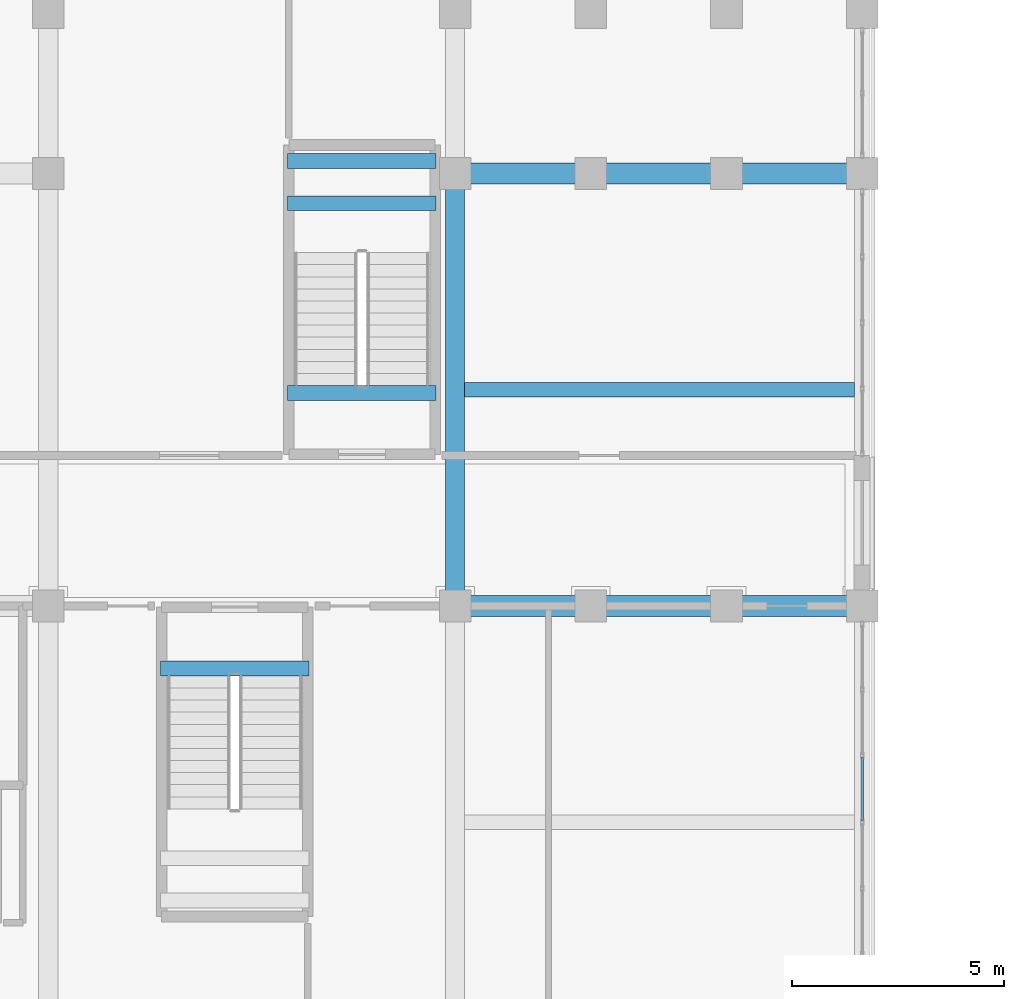
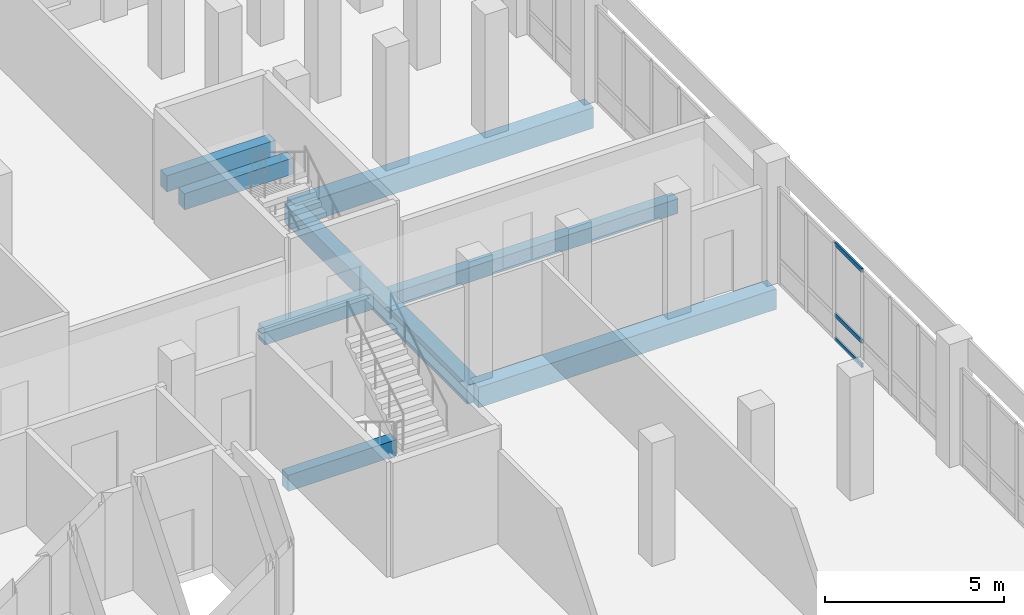
# One storey, part 23 of 170: 8 beams, 3 members, 1 element without a shape of its own.
"""IFC4 building model written with IfcOpenShell, lengths in metres."""

from ifc_helpers import new_model, si_unit, direction, frame, origin, origin_2d, place, context, subcontext, project, spatial, rectangle, hollow_rectangle, extrude, material, material_profile, profile_set, type_object, element, aggregate, save


model = new_model("IFC4")

# Units and contexts
model_context = context("Model", 3, precision=1e-05, world=origin(), true_north=direction((0.0, 1.0)))
body_context = subcontext(model_context, "Body", "Model", "MODEL_VIEW")
ifc_project = project(units=[si_unit("LENGTHUNIT", "METRE"), si_unit("AREAUNIT", "SQUARE_METRE"), si_unit("VOLUMEUNIT", "CUBIC_METRE"), si_unit("PLANEANGLEUNIT", "RADIAN"), si_unit("MASSUNIT", "GRAM", prefix="KILO")], contexts=[model_context])

# Site, building, storey
site_placement = place(None, origin())
site = spatial("IfcSite", under=ifc_project, at=site_placement, CompositionType="ELEMENT")
building_placement = place(site_placement, origin())
building = spatial("IfcBuilding", under=site, at=building_placement, Name="Vondelvale Polytechnic", CompositionType="ELEMENT")
storey_placement = place(building_placement, frame((0.0, 0.0, 5.39990234375)))
storey = spatial("IfcBuildingStorey", under=building, at=storey_placement, Name="L01", CompositionType="ELEMENT", Elevation=5.39990234375)

# Beams
ifc_material_1 = material(Name="Concrete N40 (f'c = 40 MPa)", Category="concrete")
ifc_material_profile_1 = material_profile(ifc_material_1, rectangle(XDim=0.35009765625, YDim=0.550048828125, at=origin_2d()), Name="RC-BM-350x550")
ifc_profile_set_1 = profile_set([ifc_material_profile_1], Name="Concrete N40 (f'c = 40 MPa)")
beam_type_1 = type_object("IfcBeamType", Name="BM-RC350x550", PredefinedType="BEAM", material=ifc_profile_set_1)
for number, where, z_axis, x_axis, name in (
    (1, (31.449951171875, 18.925048828125, -0.27490234375), (1.0, 0.0, 0.0), (0.0, 1.0, 0.0), "L01 STHD B-06"),
    (2, (37.949951171875, 29.89990234375, 1.625), (-1.0, 0.0, 0.0), (0.0, -1.0, 0.0), "L01 STLD B-06"),
    (3, (37.949951171875, 30.89990234375, 1.625), (-1.0, 0.0, 0.0), (0.0, -1.0, 0.0), "L01 STLD B-06"),
    (4, (37.949951171875, 25.425048828125, -0.27490234375), (-1.0, 0.0, 0.0), (0.0, -1.0, 0.0), "L01 STHD B-06"),
):
    element("IfcBeam", number, at=place(storey_placement, frame(where, z_axis=z_axis, x_axis=x_axis)), inside=storey, type_object=beam_type_1, Name=name, PredefinedType="BEAM", context=body_context, shape_type="SweptSolid", body=[
        extrude(rectangle(XDim=0.35009765625, YDim=0.550048828125, at=origin_2d()), origin(), (0.0, 0.0, 1.0), 3.5),
    ])
ifc_material_profile_2 = material_profile(ifc_material_1, rectangle(XDim=0.449951171875, YDim=0.64990234375, at=origin_2d()), Name="RC-BM-450x650")
ifc_profile_set_2 = profile_set([ifc_material_profile_2], Name="Concrete N40 (f'c = 40 MPa)")
beam_type_2 = type_object("IfcBeamType", Name="BM-RC450x650", PredefinedType="BEAM", material=ifc_profile_set_2)
beam_1_placement = place(storey_placement, frame((38.39990234375, 20.39990234375, -0.60498046875), z_axis=(0.0, 1.0, 0.0), x_axis=(-1.0, 0.0, 0.0)))
element("IfcBeam", 5, at=beam_1_placement, inside=storey, type_object=beam_type_2, Name="L01 B B-04", PredefinedType="BEAM", context=body_context, shape_type="SweptSolid", body=[
    extrude(rectangle(XDim=0.449951171875, YDim=0.64990234375, at=origin_2d()), origin(), (0.0, 0.0, 1.0), 10.2001953125),
])
ifc_material_profile_3 = material_profile(ifc_material_1, rectangle(XDim=0.5, YDim=0.699951171875, at=origin_2d()), Name="RC-BM-500x700")
ifc_profile_set_3 = profile_set([ifc_material_profile_3], Name="Concrete N40 (f'c = 40 MPa)")
beam_type_3 = type_object("IfcBeamType", Name="BM-RC500x700", PredefinedType="BEAM", material=ifc_profile_set_3)
for number, where, z_axis, x_axis, name in (
    (6, (38.39990234375, 20.39990234375, -0.6298828125), (1.0, 0.0, 0.0), (0.0, 1.0, 0.0), "L01 B B-03"),
    (7, (38.39990234375, 30.60009765625, -0.6298828125), (1.0, 0.0, 0.0), (0.0, 1.0, 0.0), "L01 B B-03"),
):
    element("IfcBeam", number, at=place(storey_placement, frame(where, z_axis=z_axis, x_axis=x_axis)), inside=storey, type_object=beam_type_3, Name=name, PredefinedType="BEAM", context=body_context, shape_type="SweptSolid", body=[
        extrude(rectangle(XDim=0.5, YDim=0.699951171875, at=origin_2d()), origin(), (0.0, 0.0, 1.0), 9.60009765625),
    ])

# Curtain wall, members
ifc_material_2 = material(Name="Anodised extruded aluminium 6063-T6", Category="aluminium")
curtain_wall_type = type_object("IfcCurtainWallType", Name="CW-STUDIO-NORTH", PredefinedType="NOTDEFINED", material=ifc_material_2)
curtain_wall_placement = place(storey_placement, origin())
curtain_wall = element("IfcCurtainWall", 8, at=curtain_wall_placement, inside=storey, type_object=curtain_wall_type, Name="L01 architectural curtain wall CW-01-008", PredefinedType="NOTDEFINED")
ifc_material_profile_4 = material_profile(ifc_material_2, hollow_rectangle(XDim=0.06005859375, YDim=0.139892578125, WallThickness=0.00341796875, at=origin_2d()), Name="CW-TRN-140x60")
ifc_profile_set_4 = profile_set([ifc_material_profile_4], Name="Anodised extruded aluminium 6063-T6")
member_type = type_object("IfcMemberType", Name="CW-TRN-60x140", PredefinedType="USERDEFINED", material=ifc_profile_set_4)
member_1_placement = place(storey_placement, frame((48.0, 15.33251953125, 0.030029296875), z_axis=(0.0, 1.0, 0.0), x_axis=(-1.0, 0.0, 0.0)))
member_1 = element("IfcMember", 9, at=member_1_placement, type_object=member_type, Name="CW-01-008 transom 4.1", ObjectType="TRANSOM", PredefinedType="USERDEFINED", context=body_context, shape_type="SweptSolid", body=[
    extrude(hollow_rectangle(XDim=0.06005859375, YDim=0.139892578125, WallThickness=0.00341796875, at=origin_2d()), origin(), (0.0, 0.0, 1.0), 1.5),
])
member_2_placement = place(storey_placement, frame((48.0, 15.33251953125, 0.85009765625), z_axis=(0.0, 1.0, 0.0), x_axis=(-1.0, 0.0, 0.0)))
member_2 = element("IfcMember", 10, at=member_2_placement, type_object=member_type, Name="CW-01-008 transom 4.2", ObjectType="TRANSOM", PredefinedType="USERDEFINED", context=body_context, shape_type="SweptSolid", body=[
    extrude(hollow_rectangle(XDim=0.06005859375, YDim=0.139892578125, WallThickness=0.00341796875, at=origin_2d()), origin(), (0.0, 0.0, 1.0), 1.5),
])
member_3_placement = place(storey_placement, frame((48.0, 15.33251953125, 3.27001953125), z_axis=(0.0, 1.0, 0.0), x_axis=(-1.0, 0.0, 0.0)))
member_3 = element("IfcMember", 11, at=member_3_placement, type_object=member_type, Name="CW-01-008 transom 4.3", ObjectType="TRANSOM", PredefinedType="USERDEFINED", context=body_context, shape_type="SweptSolid", body=[
    extrude(hollow_rectangle(XDim=0.06005859375, YDim=0.139892578125, WallThickness=0.00341796875, at=origin_2d()), origin(), (0.0, 0.0, 1.0), 1.5),
])
aggregate(curtain_wall, [member_1, member_2, member_3])

# Beam
ifc_material_profile_5 = material_profile(ifc_material_1, rectangle(XDim=0.35009765625, YDim=0.5, at=origin_2d()), Name="RC-JST-350x500")
ifc_profile_set_5 = profile_set([ifc_material_profile_5], Name="Concrete N40 (f'c = 40 MPa)")
beam_type_4 = type_object("IfcBeamType", Name="JST-RC350x500", PredefinedType="JOIST", material=ifc_profile_set_5)
beam_2_placement = place(storey_placement, frame((38.625, 25.5, -0.52978515625), z_axis=(1.0, 0.0, 0.0), x_axis=(0.0, 1.0, 0.0)))
element("IfcBeam", 12, at=beam_2_placement, inside=storey, type_object=beam_type_4, Name="L01 J J-01", PredefinedType="JOIST", context=body_context, shape_type="SweptSolid", body=[
    extrude(rectangle(XDim=0.35009765625, YDim=0.5, at=origin_2d()), origin(), (0.0, 0.0, 1.0), 9.199951171875),
])

save(model, "model.ifc")
